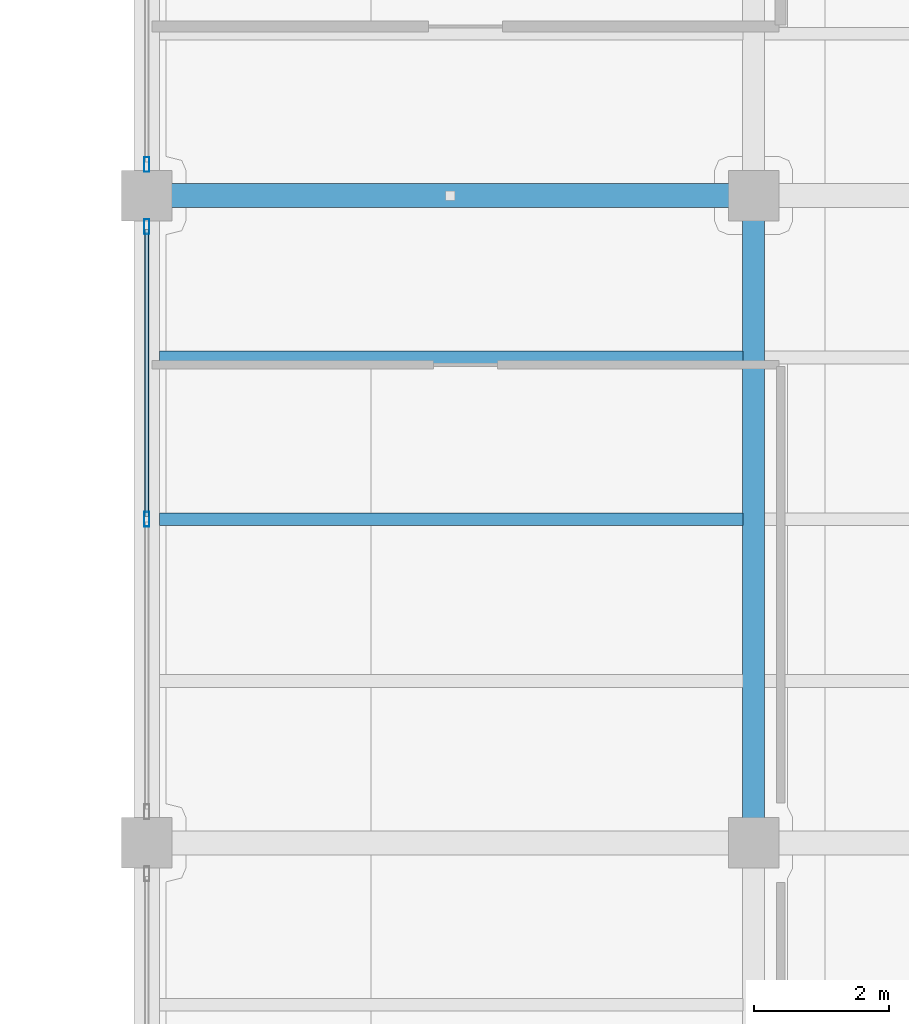
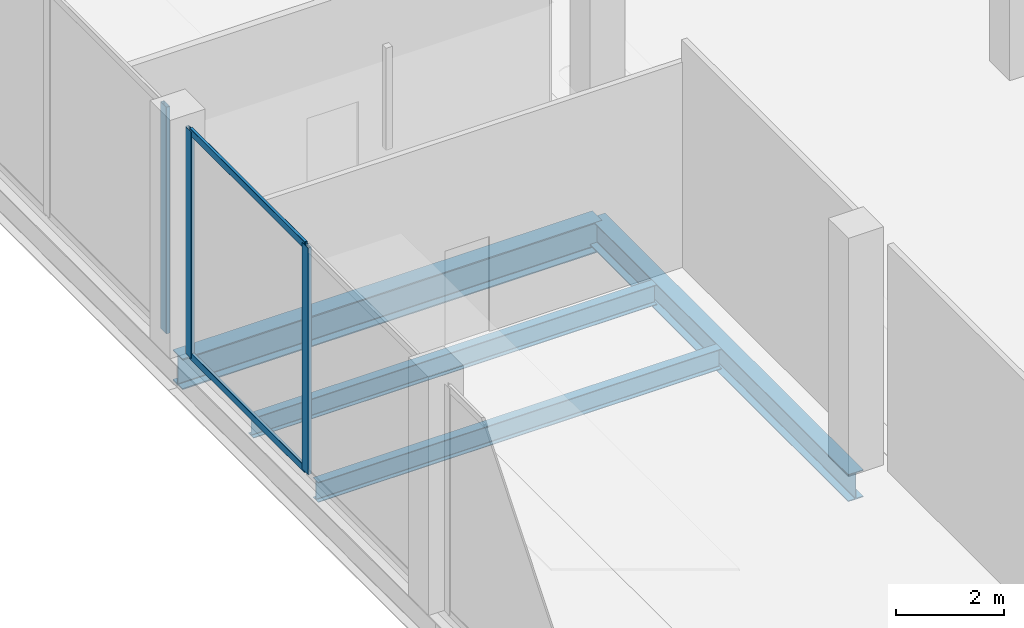
# One storey, part 7 of 47: 5 members, 4 beams, 2 elements without a shape of their own.
"""IFC4 building model written with IfcOpenShell, lengths in metres."""

from ifc_helpers import new_model, si_unit, direction, frame, origin, origin_2d, place, context, subcontext, project, spatial, hollow_rectangle, i_section, extrude, material, layer, layer_set, material_profile, profile_set, type_object, element, aggregate, save


model = new_model("IFC4")

# Units and contexts
model_context = context("Model", 3, precision=1e-05, world=origin(), true_north=direction((0.0, 1.0)))
body_context = subcontext(model_context, "Body", "Model", "MODEL_VIEW")
ifc_project = project(units=[si_unit("LENGTHUNIT", "METRE"), si_unit("AREAUNIT", "SQUARE_METRE"), si_unit("VOLUMEUNIT", "CUBIC_METRE"), si_unit("PLANEANGLEUNIT", "RADIAN"), si_unit("MASSUNIT", "GRAM", prefix="KILO")], contexts=[model_context])

# Site, building, storey
site_placement = place(None, origin())
site = spatial("IfcSite", under=ifc_project, at=site_placement, CompositionType="ELEMENT")
building_placement = place(site_placement, origin())
building = spatial("IfcBuilding", under=site, at=building_placement, Name="Qorvath Tower", CompositionType="ELEMENT")
storey_placement = place(building_placement, frame((0.0, 0.0, 6.60009765625)))
storey = spatial("IfcBuildingStorey", under=building, at=storey_placement, Name="L01", CompositionType="ELEMENT", Elevation=6.60009765625)

# Beams
ifc_material_1 = material(Name="Steel ASTM A992 Grade 50", Category="steel")
ifc_material_profile_1 = material_profile(ifc_material_1, i_section(OverallWidth=0.35595703125, OverallDepth=0.696044921875, WebThickness=0.015380859375, FlangeThickness=0.02490234375, FilletRadius=0.01806640625, at=origin_2d()), Name="W27x146")
ifc_profile_set_1 = profile_set([ifc_material_profile_1], Name="Steel ASTM A992 Grade 50")
beam_type_1 = type_object("IfcBeamType", Name="BM-FG4", PredefinedType="BEAM", material=ifc_profile_set_1)
beam_1_placement = place(storey_placement, frame((32.39990234375, 0.0, -0.60791015625), z_axis=(1.0, 0.0, 0.0), x_axis=(0.0, 1.0, 0.0)))
element("IfcBeam", 1, at=beam_1_placement, inside=storey, type_object=beam_type_1, Name="Library E-W Girder L01-5-1", PredefinedType="BEAM", context=body_context, shape_type="SweptSolid", body=[
    extrude(i_section(OverallWidth=0.35595703125, OverallDepth=0.696044921875, WebThickness=0.015380859375, FlangeThickness=0.02490234375, FilletRadius=0.01806640625, at=origin_2d()), origin(), (0.0, 0.0, 1.0), 9.0),
])
ifc_material_2 = material(Name="Steel ASTM A992 Grade 50", Category="steel")
ifc_material_profile_2 = material_profile(ifc_material_2, i_section(OverallWidth=0.324951171875, OverallDepth=0.615966796875, WebThickness=0.013916015625, FlangeThickness=0.021484375, FilletRadius=0.01611328125, at=origin_2d()), Name="W24x117")
ifc_profile_set_2 = profile_set([ifc_material_profile_2], Name="Steel ASTM A992 Grade 50")
beam_type_2 = type_object("IfcBeamType", Name="BM-FG5", PredefinedType="BEAM", material=ifc_profile_set_2)
beam_2_placement = place(storey_placement, frame((41.39990234375, -9.60009765625, -0.568115234375), z_axis=(0.0, 1.0, 0.0), x_axis=(-1.0, 0.0, 0.0)))
element("IfcBeam", 2, at=beam_2_placement, inside=storey, type_object=beam_type_2, Name="Library N-S Girder L01-2-4", PredefinedType="BEAM", context=body_context, shape_type="SweptSolid", body=[
    extrude(i_section(OverallWidth=0.324951171875, OverallDepth=0.615966796875, WebThickness=0.013916015625, FlangeThickness=0.021484375, FilletRadius=0.01611328125, at=origin_2d()), origin(), (0.0, 0.0, 1.0), 9.60009765625),
])
ifc_material_3 = material(Name="Steel ASTM A992 Grade 50", Category="steel")
ifc_material_profile_3 = material_profile(ifc_material_3, i_section(OverallWidth=0.18994140625, OverallDepth=0.45703125, WebThickness=0.009033203125, FlangeThickness=0.014404296875, FilletRadius=0.011962890625, at=origin_2d()), Name="W18x50")
ifc_profile_set_3 = profile_set([ifc_material_profile_3], Name="Steel ASTM A992 Grade 50")
beam_type_3 = type_object("IfcBeamType", Name="BM-FJ2", PredefinedType="JOIST", material=ifc_profile_set_3)
for number, where, z_axis, x_axis, name in (
    (3, (32.58837890625, -4.800048828125, -0.488525390625), (1.0, 0.0, 0.0), (0.0, 1.0, 0.0), "Library Stack Joist L01-4.2-1"),
    (4, (32.58837890625, -2.39990234375, -0.488525390625), (1.0, 0.0, 0.0), (0.0, 1.0, 0.0), "Library Stack Joist L01-4.3-1"),
):
    element("IfcBeam", number, at=place(storey_placement, frame(where, z_axis=z_axis, x_axis=x_axis)), inside=storey, type_object=beam_type_3, Name=name, PredefinedType="JOIST", context=body_context, shape_type="SweptSolid", body=[
        extrude(i_section(OverallWidth=0.18994140625, OverallDepth=0.45703125, WebThickness=0.009033203125, FlangeThickness=0.014404296875, FilletRadius=0.011962890625, at=origin_2d()), origin(), (0.0, 0.0, 1.0), 8.651123046875),
    ])

# Curtain wall, members
ifc_material_4 = material(Name="Anodised aluminium and triple low-E glass", Category="aluminium")
ifc_layer = layer(ifc_material_4, 0.179931640625)
ifc_layer_set = layer_set([ifc_layer], Name="CW-SYS-6")
curtain_wall_type = type_object("IfcCurtainWallType", Name="CW-SYS-6", PredefinedType="NOTDEFINED", material=ifc_layer_set)
curtain_wall_1_placement = place(storey_placement, origin())
curtain_wall_1 = element("IfcCurtainWall", 5, at=curtain_wall_1_placement, inside=storey, type_object=curtain_wall_type, Name="Curtain Wall CW-6 CW-LIB-W-L01-4", PredefinedType="NOTDEFINED")
ifc_material_5 = material(Name="Anodised aluminium 6063-T6", Category="aluminium")
ifc_material_profile_4 = material_profile(ifc_material_5, hollow_rectangle(XDim=0.080078125, YDim=0.219970703125, WallThickness=0.00439453125, InnerFilletRadius=0.00439453125, OuterFilletRadius=0.009033203125, at=origin_2d()), Name="CWM LIB 220x80")
ifc_profile_set_4 = profile_set([ifc_material_profile_4], Name="Anodised aluminium 6063-T6")
member_type_1 = type_object("IfcMemberType", Name="CWM-LIB", PredefinedType="MULLION", material=ifc_profile_set_4)
member_1_placement = place(storey_placement, frame((32.39990234375, -4.7998046875, 0.0), z_axis=(0.0, 0.0, 1.0), x_axis=(-1.0, 0.0, 0.0)))
member_1 = element("IfcMember", 6, at=member_1_placement, type_object=member_type_1, Name="CW-6 mullion 2", PredefinedType="MULLION", context=body_context, shape_type="SweptSolid", body=[
    extrude(hollow_rectangle(XDim=0.080078125, YDim=0.219970703125, WallThickness=0.00439453125, InnerFilletRadius=0.00439453125, OuterFilletRadius=0.009033203125, at=origin_2d()), origin(), (0.0, 0.0, 1.0), 5.139892578125),
])
member_2_placement = place(storey_placement, frame((32.39990234375, -0.4599609375, 0.0), z_axis=(0.0, 0.0, 1.0), x_axis=(-1.0, 0.0, 0.0)))
member_2 = element("IfcMember", 7, at=member_2_placement, type_object=member_type_1, Name="CW-6 mullion 3", PredefinedType="MULLION", context=body_context, shape_type="SweptSolid", body=[
    extrude(hollow_rectangle(XDim=0.080078125, YDim=0.219970703125, WallThickness=0.00439453125, InnerFilletRadius=0.00439453125, OuterFilletRadius=0.009033203125, at=origin_2d()), origin(), (0.0, 0.0, 1.0), 5.139892578125),
])

# Curtain wall, member
curtain_wall_2_placement = place(storey_placement, origin())
curtain_wall_2 = element("IfcCurtainWall", 8, at=curtain_wall_2_placement, inside=storey, type_object=curtain_wall_type, Name="Curtain Wall CW-6 CW-LIB-W-L01-5", PredefinedType="NOTDEFINED")
member_3_placement = place(storey_placement, frame((32.39990234375, 0.4599609375, 0.0), z_axis=(0.0, 0.0, 1.0), x_axis=(-1.0, 0.0, 0.0)))
member_3 = element("IfcMember", 9, at=member_3_placement, type_object=member_type_1, Name="CW-6 mullion 1", PredefinedType="MULLION", context=body_context, shape_type="SweptSolid", body=[
    extrude(hollow_rectangle(XDim=0.080078125, YDim=0.219970703125, WallThickness=0.00439453125, InnerFilletRadius=0.00439453125, OuterFilletRadius=0.009033203125, at=origin_2d()), origin(), (0.0, 0.0, 1.0), 5.139892578125),
])
aggregate(curtain_wall_2, [member_3])

# Member
ifc_material_6 = material(Name="Anodised aluminium 6063-T6", Category="aluminium")
ifc_material_profile_5 = material_profile(ifc_material_6, hollow_rectangle(XDim=0.06494140625, YDim=0.159912109375, WallThickness=0.00341796875, InnerFilletRadius=0.00341796875, OuterFilletRadius=0.007080078125, at=origin_2d()), Name="CWT 160x65")
ifc_profile_set_5 = profile_set([ifc_material_profile_5], Name="Anodised aluminium 6063-T6")
member_type_2 = type_object("IfcMemberType", Name="CWT-160", PredefinedType="USERDEFINED", material=ifc_profile_set_5)
member_4_placement = place(storey_placement, frame((32.39990234375, -4.760009765625, 0.032470703125), z_axis=(0.0, 1.0, 0.0), x_axis=(-1.0, 0.0, 0.0)))
member_4 = element("IfcMember", 10, at=member_4_placement, type_object=member_type_2, Name="CW-6 transom 2.1", ObjectType="TRANSOM", PredefinedType="USERDEFINED", context=body_context, shape_type="SweptSolid", body=[
    extrude(hollow_rectangle(XDim=0.06494140625, YDim=0.159912109375, WallThickness=0.00341796875, InnerFilletRadius=0.00341796875, OuterFilletRadius=0.007080078125, at=origin_2d()), origin(), (0.0, 0.0, 1.0), 4.260009765625),
])

member_5_placement = place(storey_placement, frame((32.39990234375, -4.760009765625, 5.107421875), z_axis=(0.0, 1.0, 0.0), x_axis=(-1.0, 0.0, 0.0)))
member_5 = element("IfcMember", 11, at=member_5_placement, type_object=member_type_2, Name="CW-6 transom 2.2", ObjectType="TRANSOM", PredefinedType="USERDEFINED", context=body_context, shape_type="SweptSolid", body=[
    extrude(hollow_rectangle(XDim=0.06494140625, YDim=0.159912109375, WallThickness=0.00341796875, InnerFilletRadius=0.00341796875, OuterFilletRadius=0.007080078125, at=origin_2d()), origin(), (0.0, 0.0, 1.0), 4.260009765625),
])

aggregate(curtain_wall_1, [member_1, member_2, member_4, member_5])

save(model, "model.ifc")
